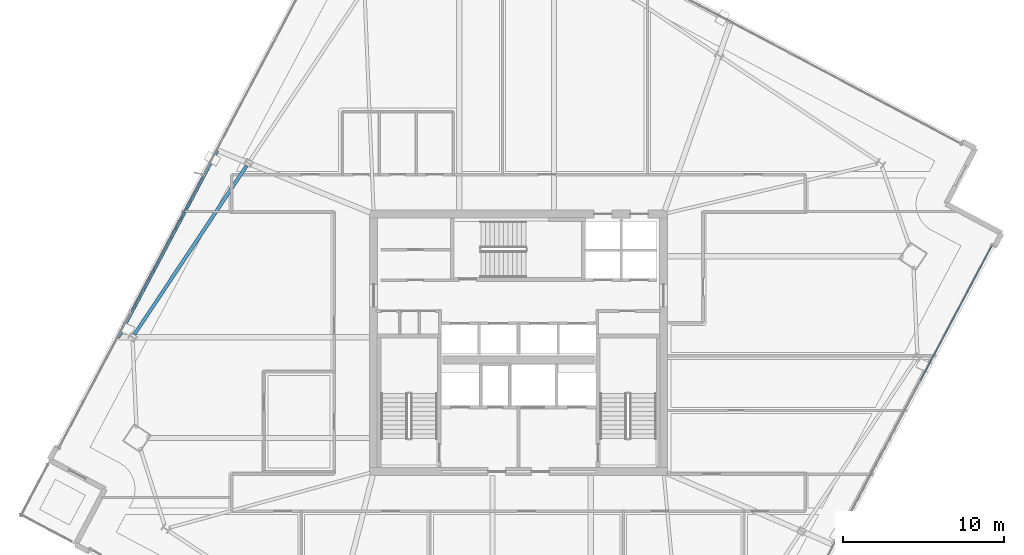
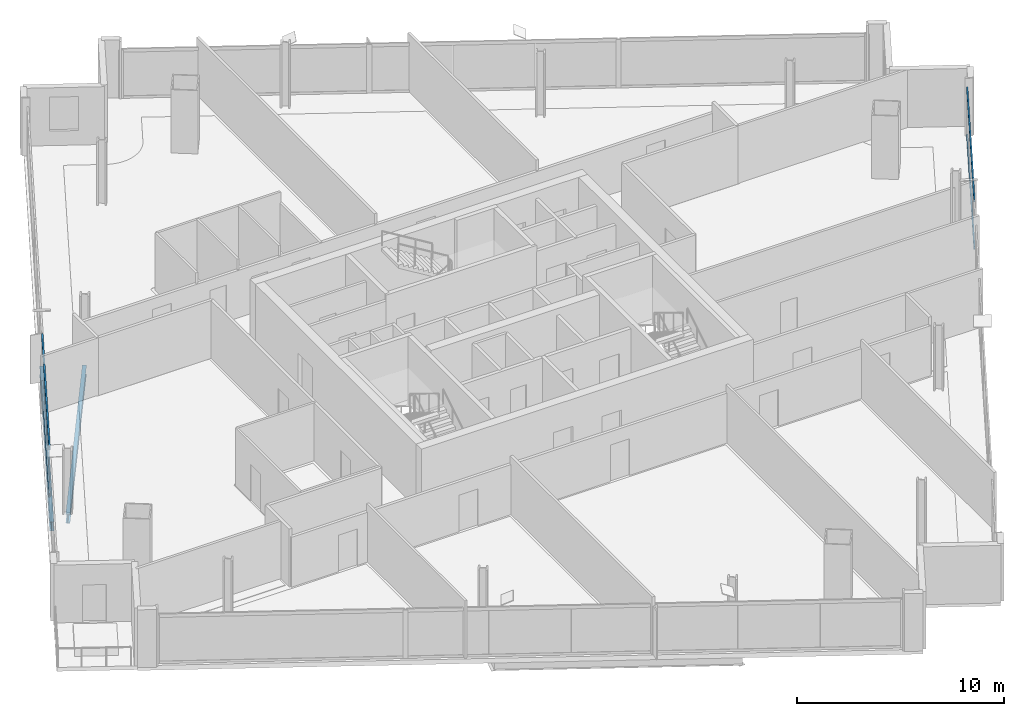
# One storey, part 13 of 28: 4 members, 2 beams, 2 elements without a shape of their own.
"""IFC4 building model written with IfcOpenShell, lengths in metres."""

from ifc_helpers import new_model, si_unit, direction, frame, origin, origin_2d, place, context, subcontext, project, spatial, hollow_rectangle, i_section, extrude, material, material_profile, profile_set, type_object, element, aggregate, save


model = new_model("IFC4")

# Units and contexts
model_context = context("Model", 3, precision=1e-05, world=origin(), true_north=direction((0.0, 1.0)))
body_context = subcontext(model_context, "Body", "Model", "MODEL_VIEW")
ifc_project = project(units=[si_unit("LENGTHUNIT", "METRE"), si_unit("AREAUNIT", "SQUARE_METRE"), si_unit("VOLUMEUNIT", "CUBIC_METRE"), si_unit("PLANEANGLEUNIT", "RADIAN"), si_unit("MASSUNIT", "GRAM", prefix="KILO")], contexts=[model_context])

# Site, building, storey
site_placement = place(None, origin())
site = spatial("IfcSite", under=ifc_project, at=site_placement, CompositionType="ELEMENT")
building_placement = place(site_placement, origin())
building = spatial("IfcBuilding", under=site, at=building_placement, Name="Haldenkirk Collegiate Tower", CompositionType="ELEMENT")
storey_placement = place(building_placement, frame((0.0, 0.0, 235.949951171875)))
storey = spatial("IfcBuildingStorey", under=building, at=storey_placement, Name="L59", CompositionType="ELEMENT", Elevation=235.949951171875)

# Beams
ifc_material_1 = material(Name="Steel ASTM A992 Grade 50", Category="steel")
ifc_material_profile_1 = material_profile(ifc_material_1, i_section(OverallWidth=0.2099609375, OverallDepth=0.537109375, WebThickness=0.010986328125, FlangeThickness=0.017333984375, at=origin_2d()), Name="W21X68")
ifc_profile_set_1 = profile_set([ifc_material_profile_1], Name="Steel ASTM A992 Grade 50")
beam_type = type_object("IfcBeamType", Name="BM-SPANDREL-W21X68", PredefinedType="SPANDREL", material=ifc_profile_set_1)
beam_1_placement = place(storey_placement, frame((19.106201171875, 36.98486328125, -0.54833984375), z_axis=(-0.554117024454, -0.832438780458, 0.0), x_axis=(0.832438780458, -0.554117024454, 0.0)))
element("IfcBeam", 1, at=beam_1_placement, inside=storey, type_object=beam_type, Name="L59 perimeter spandrel beam 11", PredefinedType="SPANDREL", context=body_context, shape_type="SweptSolid", body=[
    extrude(i_section(OverallWidth=0.2099609375, OverallDepth=0.537109375, WebThickness=0.010986328125, FlangeThickness=0.017333984375, at=origin_2d()), origin(), (0.0, 0.0, 1.0), 12.562255859375),
])
beam_2_placement = place(storey_placement, frame((17.2890625, 37.954345703125, -0.54833984375), z_axis=(-0.467933839903, -0.883763498609, 0.0), x_axis=(0.883763498609, -0.467933839903, 0.0)))
element("IfcBeam", 2, at=beam_2_placement, inside=storey, type_object=beam_type, Name="L59 outer facade edge beam 3", PredefinedType="SPANDREL", context=body_context, shape_type="SweptSolid", body=[
    extrude(i_section(OverallWidth=0.2099609375, OverallDepth=0.537109375, WebThickness=0.010986328125, FlangeThickness=0.017333984375, at=origin_2d()), origin(), (0.0, 0.0, 1.0), 13.1337890625),
])

# Curtain wall, members
ifc_material_2 = material(Name="Anodised architectural bronze aluminium", Category="aluminium")
curtain_wall_type_1 = type_object("IfcCurtainWallType", Name="CW-SYS2-CONCAVE", PredefinedType="USERDEFINED", material=ifc_material_2)
curtain_wall_1_placement = place(storey_placement, origin())
curtain_wall_1 = element("IfcCurtainWall", 3, at=curtain_wall_1_placement, inside=storey, type_object=curtain_wall_type_1, Name="L59 South concave recessed bronze-anodised curtain wall", ObjectType="UNITISED CURTAIN WALL", PredefinedType="USERDEFINED")
ifc_material_profile_2 = material_profile(ifc_material_2, hollow_rectangle(XDim=0.074951171875, YDim=0.159912109375, WallThickness=0.0048828125, at=origin_2d()), Name="CW-TRN-02")
ifc_profile_set_2 = profile_set([ifc_material_profile_2], Name="Anodised architectural bronze aluminium")
member_type_1 = type_object("IfcMemberType", Name="CW-TRN-02", PredefinedType="USERDEFINED", material=ifc_profile_set_2)
member_1_placement = place(storey_placement, frame((65.380615234375, 32.027587890625, 0.03759765625), z_axis=(-0.467938692519, -0.883760929236, 0.0), x_axis=(0.883760929236, -0.467938692519, 0.0)))
member_1 = element("IfcMember", 4, at=member_1_placement, type_object=member_type_1, Name="CW-02 transom 1.1", ObjectType="TRANSOM", PredefinedType="USERDEFINED", context=body_context, shape_type="SweptSolid", body=[
    extrude(hollow_rectangle(XDim=0.074951171875, YDim=0.159912109375, WallThickness=0.0048828125, at=origin_2d()), origin(), (0.0, 0.0, 1.0), 9.462646484375),
])
member_2_placement = place(storey_placement, frame((65.380615234375, 32.027587890625, 2.820556640625), z_axis=(-0.467938692519, -0.883760929236, 0.0), x_axis=(0.883760929236, -0.467938692519, 0.0)))
member_2 = element("IfcMember", 5, at=member_2_placement, type_object=member_type_1, Name="CW-02 transom 1.2", ObjectType="TRANSOM", PredefinedType="USERDEFINED", context=body_context, shape_type="SweptSolid", body=[
    extrude(hollow_rectangle(XDim=0.074951171875, YDim=0.159912109375, WallThickness=0.0048828125, at=origin_2d()), origin(), (0.0, 0.0, 1.0), 9.462646484375),
])
aggregate(curtain_wall_1, [member_1, member_2])

curtain_wall_type_2 = type_object("IfcCurtainWallType", Name="CW-SYS1B-CONVEX-HI", PredefinedType="USERDEFINED", material=ifc_material_2)
curtain_wall_2_placement = place(storey_placement, origin())
curtain_wall_2 = element("IfcCurtainWall", 6, at=curtain_wall_2_placement, inside=storey, type_object=curtain_wall_type_2, Name="L59 Upper tower high-wind convex bronze unitised curtain wall", ObjectType="UNITISED CURTAIN WALL", PredefinedType="USERDEFINED")
ifc_material_profile_3 = material_profile(ifc_material_2, hollow_rectangle(XDim=0.0849609375, YDim=0.199951171875, WallThickness=0.0048828125, at=origin_2d()), Name="CW-TRN-1B")
ifc_profile_set_3 = profile_set([ifc_material_profile_3], Name="Anodised architectural bronze aluminium")
member_type_2 = type_object("IfcMemberType", Name="CW-TRN-1B", PredefinedType="USERDEFINED", material=ifc_profile_set_3)
member_3_placement = place(storey_placement, frame((11.9462890625, 27.949462890625, 0.04248046875), z_axis=(0.467930272077, 0.883765387687, 0.0), x_axis=(-0.883765387687, 0.467930272077, 0.0)))
member_3 = element("IfcMember", 7, at=member_3_placement, type_object=member_type_2, Name="CW-1B transom 2.1", ObjectType="TRANSOM", PredefinedType="USERDEFINED", context=body_context, shape_type="SweptSolid", body=[
    extrude(hollow_rectangle(XDim=0.0849609375, YDim=0.199951171875, WallThickness=0.0048828125, at=origin_2d()), origin(), (0.0, 0.0, 1.0), 9.489990234375),
])
member_4_placement = place(storey_placement, frame((11.9462890625, 27.949462890625, 2.8154296875), z_axis=(0.467930272077, 0.883765387687, 0.0), x_axis=(-0.883765387687, 0.467930272077, 0.0)))
member_4 = element("IfcMember", 8, at=member_4_placement, type_object=member_type_2, Name="CW-1B transom 2.2", ObjectType="TRANSOM", PredefinedType="USERDEFINED", context=body_context, shape_type="SweptSolid", body=[
    extrude(hollow_rectangle(XDim=0.0849609375, YDim=0.199951171875, WallThickness=0.0048828125, at=origin_2d()), origin(), (0.0, 0.0, 1.0), 9.489990234375),
])
aggregate(curtain_wall_2, [member_3, member_4])

save(model, "model.ifc")
